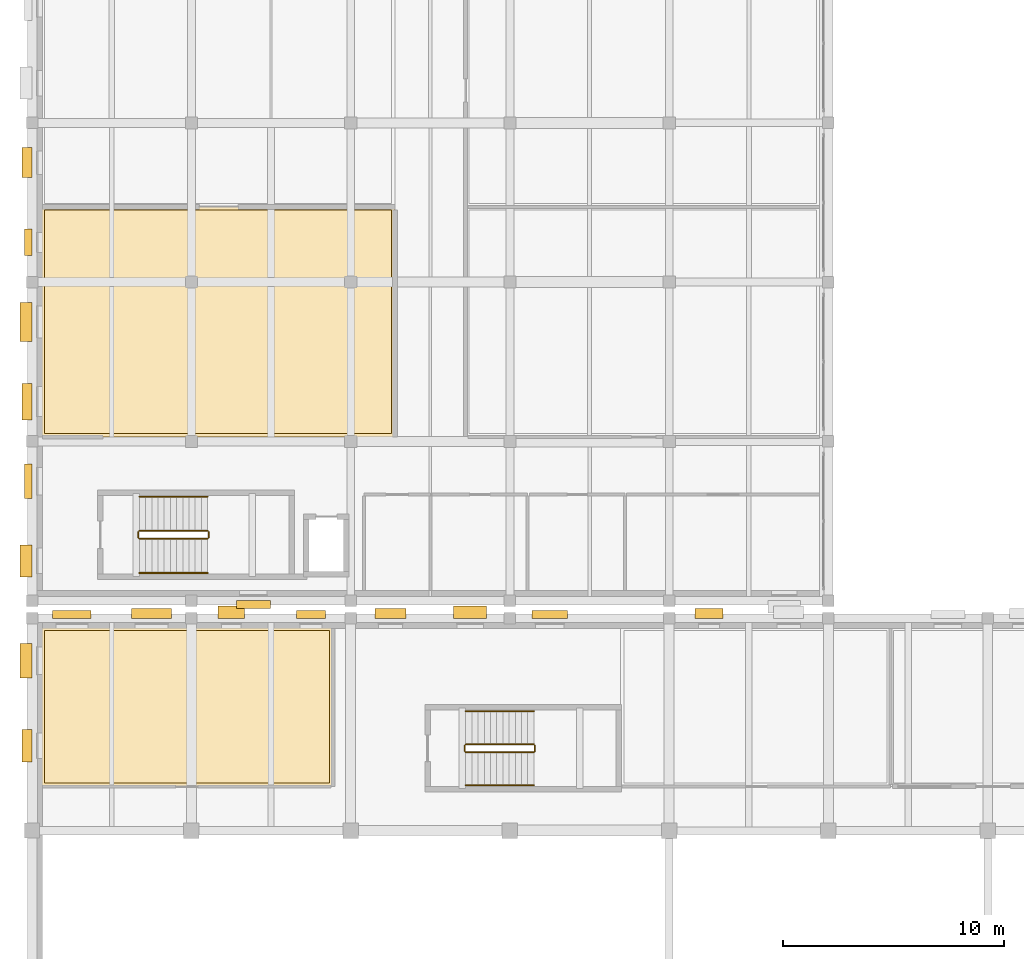
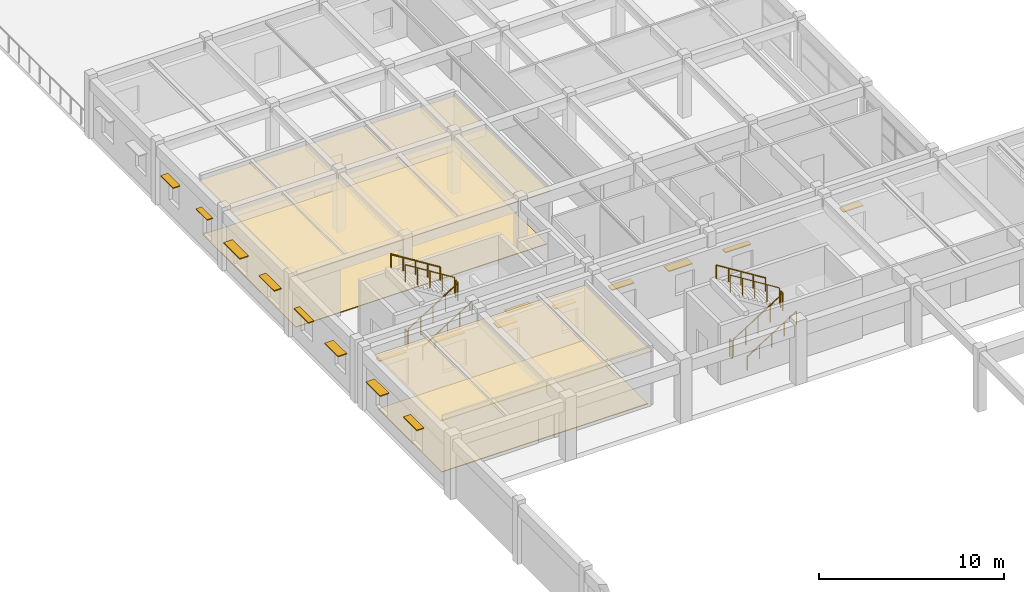
# One storey, part 59 of 67: 17 shading devices, 12 railings, 4 coverings.
"""IFC4 building model written with IfcOpenShell, lengths in metres."""

from ifc_helpers import new_model, si_unit, direction, frame, origin, origin_2d, place, context, subcontext, project, spatial, polyline, rectangle, circle, outline, extrude, material, layer, layer_set, type_object, element, save


model = new_model("IFC4")

# Units and contexts
model_context = context("Model", 3, precision=1e-05, world=origin(), true_north=direction((0.0, 1.0)))
body_context = subcontext(model_context, "Body", "Model", "MODEL_VIEW")
ifc_project = project(units=[si_unit("LENGTHUNIT", "METRE"), si_unit("AREAUNIT", "SQUARE_METRE"), si_unit("VOLUMEUNIT", "CUBIC_METRE"), si_unit("PLANEANGLEUNIT", "RADIAN"), si_unit("MASSUNIT", "GRAM", prefix="KILO")], contexts=[model_context])

# Site, building, storey
site_placement = place(None, origin())
site = spatial("IfcSite", under=ifc_project, at=site_placement, CompositionType="ELEMENT")
building_placement = place(site_placement, origin())
building = spatial("IfcBuilding", under=site, at=building_placement, Name="Bramveld Media Centre", CompositionType="ELEMENT")
storey_placement = place(building_placement, frame((0.0, 0.0, 5.39990234375)))
storey = spatial("IfcBuildingStorey", under=building, at=storey_placement, Name="L01", CompositionType="ELEMENT", Elevation=5.39990234375)

# Coverings
ifc_material_1 = material(Name="Perforated acoustic mineral-fibre & oak-slat suspended ceiling")
ifc_layer_1 = layer(ifc_material_1, 0.044921875)
ifc_layer_set_1 = layer_set([ifc_layer_1], Name="Perforated acoustic mineral-fibre & oak-slat suspended ceiling")
covering_type_1 = type_object("IfcCoveringType", Name="COV-CEIL-01", PredefinedType="CEILING", material=ifc_layer_set_1)
covering_1_placement = place(storey_placement, frame((0.0, 0.0, 3.545166015625)))
element("IfcCovering", 1, at=covering_1_placement, inside=storey, type_object=covering_type_1, Name="Cinema 3 & 4 Projection Gallery acoustic suspended ceiling", PredefinedType="CEILING", context=body_context, shape_type="SweptSolid", body=[
    extrude(outline(polyline([(0.39990234375, 46.60009765625), (16.39990234375, 46.60009765625), (16.39990234375, 57.0), (0.39990234375, 57.0), (0.39990234375, 46.60009765625)])), origin(), (0.0, 0.0, 1.0), 0.044921875),
])
ifc_material_2 = material(Name="Spring-isolated studio acoustic gypsum & mineral-wool ceiling")
ifc_layer_2 = layer(ifc_material_2, 0.06005859375)
ifc_layer_set_2 = layer_set([ifc_layer_2], Name="Spring-isolated studio acoustic gypsum & mineral-wool ceiling")
covering_type_2 = type_object("IfcCoveringType", Name="COV-CEIL-02", PredefinedType="CEILING", material=ifc_layer_set_2)
covering_2_placement = place(storey_placement, frame((0.0, 0.0, 3.510009765625)))
element("IfcCovering", 2, at=covering_2_placement, inside=storey, type_object=covering_type_2, Name="Studio 1 Production & Vision Control Room acoustic suspended ceiling", PredefinedType="CEILING", context=body_context, shape_type="SweptSolid", body=[
    extrude(outline(polyline([(0.39990234375, 30.800048828125), (13.60009765625, 30.800048828125), (13.60009765625, 38.0), (0.39990234375, 38.0), (0.39990234375, 30.800048828125)])), origin(), (0.0, 0.0, 1.0), 0.06005859375),
])
ifc_material_3 = material(Name="Honed Belgian bluestone (petit granit) public concourse flooring", Category="masonry")
ifc_layer_3 = layer(ifc_material_3, 0.050048828125)
ifc_layer_set_3 = layer_set([ifc_layer_3], Name="Honed Belgian bluestone (petit granit) public concourse flooring")
covering_type_3 = type_object("IfcCoveringType", Name="COV-FLOOR-02", PredefinedType="FLOORING", material=ifc_layer_set_3)
covering_3_placement = place(storey_placement, origin())
element("IfcCovering", 3, at=covering_3_placement, inside=storey, type_object=covering_type_3, Name="Studio 1 Production & Vision Control Room finish flooring", PredefinedType="FLOORING", context=body_context, shape_type="SweptSolid", body=[
    extrude(outline(polyline([(0.550048828125, 30.949951171875), (13.449951171875, 30.949951171875), (13.449951171875, 37.85009765625), (0.550048828125, 37.85009765625), (0.550048828125, 30.949951171875)])), origin(), (0.0, 0.0, 1.0), 0.050048828125),
])
covering_4_placement = place(storey_placement, origin())
element("IfcCovering", 4, at=covering_4_placement, inside=storey, type_object=covering_type_3, Name="Cinema 3 & 4 Projection Gallery finish flooring", PredefinedType="FLOORING", context=body_context, shape_type="SweptSolid", body=[
    extrude(outline(polyline([(0.550048828125, 46.75), (16.25, 46.75), (16.25, 56.85009765625), (0.550048828125, 56.85009765625), (0.550048828125, 46.75)])), origin(), (0.0, 0.0, 1.0), 0.050048828125),
])

# Railings
ifc_material_4 = material(Name="Painted galvanized steel stairwell guardrail", Category="steel")
railing_type_1 = type_object("IfcRailingType", Name="RAIL-STAIR-GUARD-1150", PredefinedType="GUARDRAIL", material=ifc_material_4)
railing_1_placement = place(storey_placement, frame((4.85009765625, 42.0, 0.175048828125)))
element("IfcRailing", 5, at=railing_1_placement, inside=storey, type_object=railing_type_1, Name="L01 ST-04 stair guard 1", PredefinedType="GUARDRAIL", context=body_context, shape_type="SweptSolid", body=[
    extrude(circle(Radius=0.02392578125, at=origin_2d()), frame((0.0, 0.0, 1.1259765625), z_axis=(0.847979421464, 0.0, 0.530029150871), x_axis=(0.0, 1.0, 0.0)), (0.0, 0.0, 1.0), 3.632080078125),
    extrude(circle(Radius=0.02099609375, at=origin_2d()), origin(), (0.0, 0.0, 1.0), 1.101806640625),
    extrude(circle(Radius=0.02099609375, at=origin_2d()), frame((0.77001953125, 0.0, 0.481201171875)), (0.0, 0.0, 1.0), 1.101806640625),
    extrude(circle(Radius=0.02099609375, at=origin_2d()), frame((1.5400390625, 0.0, 0.96240234375)), (0.0, 0.0, 1.0), 1.101806640625),
    extrude(circle(Radius=0.02099609375, at=origin_2d()), frame((2.309814453125, 0.0, 1.44384765625)), (0.0, 0.0, 1.0), 1.101806640625),
    extrude(circle(Radius=0.02099609375, at=origin_2d()), frame((3.079833984375, 0.0, 1.925048828125)), (0.0, 0.0, 1.0), 1.101806640625),
])
railing_2_placement = place(storey_placement, frame((7.97998046875, 42.050048828125, 2.10009765625)))
element("IfcRailing", 6, at=railing_2_placement, inside=storey, type_object=railing_type_1, Name="L01 ST-04 stair guard 2", PredefinedType="GUARDRAIL", context=body_context, shape_type="SweptSolid", body=[
    extrude(circle(Radius=0.02392578125, at=origin_2d()), frame((0.0, 0.0, 1.1259765625), z_axis=(0.0, 1.0, 0.0), x_axis=(-1.0, 0.0, 0.0)), (0.0, 0.0, 1.0), 0.25),
    extrude(circle(Radius=0.02099609375, at=origin_2d()), origin(), (0.0, 0.0, 1.0), 1.101806640625),
    extrude(circle(Radius=0.02099609375, at=origin_2d()), frame((0.0, 0.25, 0.0)), (0.0, 0.0, 1.0), 1.101806640625),
])
railing_3_placement = place(storey_placement, frame((7.929931640625, 42.35009765625, 2.275146484375)))
element("IfcRailing", 7, at=railing_3_placement, inside=storey, type_object=railing_type_1, Name="L01 ST-04 stair guard 3", PredefinedType="GUARDRAIL", context=body_context, shape_type="SweptSolid", body=[
    extrude(circle(Radius=0.02392578125, at=origin_2d()), frame((0.0, 0.0, 1.1259765625), z_axis=(-0.847979421464, 0.0, 0.530029150871), x_axis=(0.0, -1.0, 0.0)), (0.0, 0.0, 1.0), 3.632080078125),
    extrude(circle(Radius=0.02099609375, at=origin_2d()), origin(), (0.0, 0.0, 1.0), 1.101806640625),
    extrude(circle(Radius=0.02099609375, at=origin_2d()), frame((-0.77001953125, 0.0, 0.481201171875)), (0.0, 0.0, 1.0), 1.101806640625),
    extrude(circle(Radius=0.02099609375, at=origin_2d()), frame((-1.5400390625, 0.0, 0.96240234375)), (0.0, 0.0, 1.0), 1.101806640625),
    extrude(circle(Radius=0.02099609375, at=origin_2d()), frame((-2.309814453125, 0.0, 1.44384765625)), (0.0, 0.0, 1.0), 1.101806640625),
    extrude(circle(Radius=0.02099609375, at=origin_2d()), frame((-3.079833984375, 0.0, 1.925048828125)), (0.0, 0.0, 1.0), 1.101806640625),
])
railing_4_placement = place(storey_placement, frame((4.800048828125, 42.050048828125, 0.0)))
element("IfcRailing", 8, at=railing_4_placement, inside=storey, type_object=railing_type_1, Name="L01 ST-04 stair guard 4", PredefinedType="GUARDRAIL", context=body_context, shape_type="SweptSolid", body=[
    extrude(circle(Radius=0.02392578125, at=origin_2d()), frame((0.0, 0.0, 1.1259765625), z_axis=(0.0, 1.0, 0.0), x_axis=(-1.0, 0.0, 0.0)), (0.0, 0.0, 1.0), 0.25),
    extrude(circle(Radius=0.02099609375, at=origin_2d()), origin(), (0.0, 0.0, 1.0), 1.101806640625),
    extrude(circle(Radius=0.02099609375, at=origin_2d()), frame((0.0, 0.25, 0.0)), (0.0, 0.0, 1.0), 1.101806640625),
])
railing_5_placement = place(storey_placement, frame((19.60009765625, 32.35009765625, 0.175048828125)))
element("IfcRailing", 9, at=railing_5_placement, inside=storey, type_object=railing_type_1, Name="L01 ST-05 stair guard 1", PredefinedType="GUARDRAIL", context=body_context, shape_type="SweptSolid", body=[
    extrude(circle(Radius=0.02392578125, at=origin_2d()), frame((0.0, 0.0, 1.1259765625), z_axis=(0.847979421464, 0.0, 0.530029150871), x_axis=(0.0, 1.0, 0.0)), (0.0, 0.0, 1.0), 3.632080078125),
    extrude(circle(Radius=0.02099609375, at=origin_2d()), origin(), (0.0, 0.0, 1.0), 1.101806640625),
    extrude(circle(Radius=0.02099609375, at=origin_2d()), frame((0.77001953125, 0.0, 0.481201171875)), (0.0, 0.0, 1.0), 1.101806640625),
    extrude(circle(Radius=0.02099609375, at=origin_2d()), frame((1.5400390625, 0.0, 0.96240234375)), (0.0, 0.0, 1.0), 1.101806640625),
    extrude(circle(Radius=0.02099609375, at=origin_2d()), frame((2.309814453125, 0.0, 1.44384765625)), (0.0, 0.0, 1.0), 1.101806640625),
    extrude(circle(Radius=0.02099609375, at=origin_2d()), frame((3.079833984375, 0.0, 1.925048828125)), (0.0, 0.0, 1.0), 1.101806640625),
])
railing_6_placement = place(storey_placement, frame((22.72998046875, 32.39990234375, 2.10009765625)))
element("IfcRailing", 10, at=railing_6_placement, inside=storey, type_object=railing_type_1, Name="L01 ST-05 stair guard 2", PredefinedType="GUARDRAIL", context=body_context, shape_type="SweptSolid", body=[
    extrude(circle(Radius=0.02392578125, at=origin_2d()), frame((0.0, 0.0, 1.1259765625), z_axis=(0.0, 1.0, 0.0), x_axis=(-1.0, 0.0, 0.0)), (0.0, 0.0, 1.0), 0.25),
    extrude(circle(Radius=0.02099609375, at=origin_2d()), origin(), (0.0, 0.0, 1.0), 1.101806640625),
    extrude(circle(Radius=0.02099609375, at=origin_2d()), frame((0.0, 0.25, 0.0)), (0.0, 0.0, 1.0), 1.101806640625),
])
railing_7_placement = place(storey_placement, frame((22.679931640625, 32.699951171875, 2.275146484375)))
element("IfcRailing", 11, at=railing_7_placement, inside=storey, type_object=railing_type_1, Name="L01 ST-05 stair guard 3", PredefinedType="GUARDRAIL", context=body_context, shape_type="SweptSolid", body=[
    extrude(circle(Radius=0.02392578125, at=origin_2d()), frame((0.0, 0.0, 1.1259765625), z_axis=(-0.847979421464, 0.0, 0.530029150871), x_axis=(0.0, -1.0, 0.0)), (0.0, 0.0, 1.0), 3.632080078125),
    extrude(circle(Radius=0.02099609375, at=origin_2d()), origin(), (0.0, 0.0, 1.0), 1.101806640625),
    extrude(circle(Radius=0.02099609375, at=origin_2d()), frame((-0.77001953125, 0.0, 0.481201171875)), (0.0, 0.0, 1.0), 1.101806640625),
    extrude(circle(Radius=0.02099609375, at=origin_2d()), frame((-1.5400390625, 0.0, 0.96240234375)), (0.0, 0.0, 1.0), 1.101806640625),
    extrude(circle(Radius=0.02099609375, at=origin_2d()), frame((-2.309814453125, 0.0, 1.44384765625)), (0.0, 0.0, 1.0), 1.101806640625),
    extrude(circle(Radius=0.02099609375, at=origin_2d()), frame((-3.079833984375, 0.0, 1.925048828125)), (0.0, 0.0, 1.0), 1.101806640625),
])
railing_8_placement = place(storey_placement, frame((19.550048828125, 32.39990234375, 0.0)))
element("IfcRailing", 12, at=railing_8_placement, inside=storey, type_object=railing_type_1, Name="L01 ST-05 stair guard 4", PredefinedType="GUARDRAIL", context=body_context, shape_type="SweptSolid", body=[
    extrude(circle(Radius=0.02392578125, at=origin_2d()), frame((0.0, 0.0, 1.1259765625), z_axis=(0.0, 1.0, 0.0), x_axis=(-1.0, 0.0, 0.0)), (0.0, 0.0, 1.0), 0.25),
    extrude(circle(Radius=0.02099609375, at=origin_2d()), origin(), (0.0, 0.0, 1.0), 1.101806640625),
    extrude(circle(Radius=0.02099609375, at=origin_2d()), frame((0.0, 0.25, 0.0)), (0.0, 0.0, 1.0), 1.101806640625),
])
ifc_material_5 = material(Name="Brushed stainless steel tubular stair handrail", Category="steel")
railing_type_2 = type_object("IfcRailingType", Name="RAIL-STAIR-HAND-0920", PredefinedType="HANDRAIL", material=ifc_material_5)
railing_9_placement = place(storey_placement, frame((4.85009765625, 40.449951171875, 0.175048828125)))
element("IfcRailing", 13, at=railing_9_placement, inside=storey, type_object=railing_type_2, Name="L01 ST-04 stair handrail 1", PredefinedType="HANDRAIL", context=body_context, shape_type="SweptSolid", body=[
    extrude(circle(Radius=0.02392578125, at=origin_2d()), frame((0.0, 0.0, 0.8759765625), z_axis=(0.847979421464, 0.0, 0.530029150871), x_axis=(0.0, 1.0, 0.0)), (0.0, 0.0, 1.0), 3.632080078125),
    extrude(circle(Radius=0.02099609375, at=origin_2d()), origin(), (0.0, 0.0, 1.0), 0.851806640625),
    extrude(circle(Radius=0.02099609375, at=origin_2d()), frame((0.77001953125, 0.0, 0.481201171875)), (0.0, 0.0, 1.0), 0.851806640625),
    extrude(circle(Radius=0.02099609375, at=origin_2d()), frame((1.5400390625, 0.0, 0.96240234375)), (0.0, 0.0, 1.0), 0.851806640625),
    extrude(circle(Radius=0.02099609375, at=origin_2d()), frame((2.309814453125, 0.0, 1.44384765625)), (0.0, 0.0, 1.0), 0.851806640625),
    extrude(circle(Radius=0.02099609375, at=origin_2d()), frame((3.079833984375, 0.0, 1.925048828125)), (0.0, 0.0, 1.0), 0.851806640625),
])
railing_10_placement = place(storey_placement, frame((7.929931640625, 43.89990234375, 2.275146484375)))
element("IfcRailing", 14, at=railing_10_placement, inside=storey, type_object=railing_type_2, Name="L01 ST-04 stair handrail 2", PredefinedType="HANDRAIL", context=body_context, shape_type="SweptSolid", body=[
    extrude(circle(Radius=0.02392578125, at=origin_2d()), frame((0.0, 0.0, 0.8759765625), z_axis=(-0.847979421464, 0.0, 0.530029150871), x_axis=(0.0, -1.0, 0.0)), (0.0, 0.0, 1.0), 3.632080078125),
    extrude(circle(Radius=0.02099609375, at=origin_2d()), origin(), (0.0, 0.0, 1.0), 0.851806640625),
    extrude(circle(Radius=0.02099609375, at=origin_2d()), frame((-0.77001953125, 0.0, 0.481201171875)), (0.0, 0.0, 1.0), 0.851806640625),
    extrude(circle(Radius=0.02099609375, at=origin_2d()), frame((-1.5400390625, 0.0, 0.96240234375)), (0.0, 0.0, 1.0), 0.851806640625),
    extrude(circle(Radius=0.02099609375, at=origin_2d()), frame((-2.309814453125, 0.0, 1.44384765625)), (0.0, 0.0, 1.0), 0.851806640625),
    extrude(circle(Radius=0.02099609375, at=origin_2d()), frame((-3.079833984375, 0.0, 1.925048828125)), (0.0, 0.0, 1.0), 0.851806640625),
])
railing_11_placement = place(storey_placement, frame((19.60009765625, 30.85009765625, 0.175048828125)))
element("IfcRailing", 15, at=railing_11_placement, inside=storey, type_object=railing_type_2, Name="L01 ST-05 stair handrail 1", PredefinedType="HANDRAIL", context=body_context, shape_type="SweptSolid", body=[
    extrude(circle(Radius=0.02392578125, at=origin_2d()), frame((0.0, 0.0, 0.8759765625), z_axis=(0.847979421464, 0.0, 0.530029150871), x_axis=(0.0, 1.0, 0.0)), (0.0, 0.0, 1.0), 3.632080078125),
    extrude(circle(Radius=0.02099609375, at=origin_2d()), origin(), (0.0, 0.0, 1.0), 0.851806640625),
    extrude(circle(Radius=0.02099609375, at=origin_2d()), frame((0.77001953125, 0.0, 0.481201171875)), (0.0, 0.0, 1.0), 0.851806640625),
    extrude(circle(Radius=0.02099609375, at=origin_2d()), frame((1.5400390625, 0.0, 0.96240234375)), (0.0, 0.0, 1.0), 0.851806640625),
    extrude(circle(Radius=0.02099609375, at=origin_2d()), frame((2.309814453125, 0.0, 1.44384765625)), (0.0, 0.0, 1.0), 0.851806640625),
    extrude(circle(Radius=0.02099609375, at=origin_2d()), frame((3.079833984375, 0.0, 1.925048828125)), (0.0, 0.0, 1.0), 0.851806640625),
])
railing_12_placement = place(storey_placement, frame((22.679931640625, 34.199951171875, 2.275146484375)))
element("IfcRailing", 16, at=railing_12_placement, inside=storey, type_object=railing_type_2, Name="L01 ST-05 stair handrail 2", PredefinedType="HANDRAIL", context=body_context, shape_type="SweptSolid", body=[
    extrude(circle(Radius=0.02392578125, at=origin_2d()), frame((0.0, 0.0, 0.8759765625), z_axis=(-0.847979421464, 0.0, 0.530029150871), x_axis=(0.0, -1.0, 0.0)), (0.0, 0.0, 1.0), 3.632080078125),
    extrude(circle(Radius=0.02099609375, at=origin_2d()), origin(), (0.0, 0.0, 1.0), 0.851806640625),
    extrude(circle(Radius=0.02099609375, at=origin_2d()), frame((-0.77001953125, 0.0, 0.481201171875)), (0.0, 0.0, 1.0), 0.851806640625),
    extrude(circle(Radius=0.02099609375, at=origin_2d()), frame((-1.5400390625, 0.0, 0.96240234375)), (0.0, 0.0, 1.0), 0.851806640625),
    extrude(circle(Radius=0.02099609375, at=origin_2d()), frame((-2.309814453125, 0.0, 1.44384765625)), (0.0, 0.0, 1.0), 0.851806640625),
    extrude(circle(Radius=0.02099609375, at=origin_2d()), frame((-3.079833984375, 0.0, 1.925048828125)), (0.0, 0.0, 1.0), 0.851806640625),
])

# Shading devices
ifc_material_6 = material(Name="Anodized bronze extruded aluminium solar shading fin", Category="aluminium")
shading_device_type_1 = type_object("IfcShadingDeviceType", Name="SHD-BRISE-350", PredefinedType="JALOUSIE", material=ifc_material_6)
shading_device_1_placement = place(storey_placement, frame((1.800048828125, 38.574951171875, 2.66015625), z_axis=(0.0, 0.0, 1.0), x_axis=(1.0, 0.0, 0.0)))
element("IfcShadingDevice", 17, at=shading_device_1_placement, inside=storey, type_object=shading_device_type_1, Name="Bronze solar shading fin 66", PredefinedType="JALOUSIE", context=body_context, shape_type="SweptSolid", body=[
    extrude(rectangle(XDim=1.739990234375, YDim=0.35009765625, at=origin_2d()), origin(), (0.0, 0.0, 1.0), 0.06005859375),
])
shading_device_2_placement = place(storey_placement, frame((12.60009765625, 38.574951171875, 2.260009765625), z_axis=(0.0, 0.0, 1.0), x_axis=(1.0, 0.0, 0.0)))
element("IfcShadingDevice", 18, at=shading_device_2_placement, inside=storey, type_object=shading_device_type_1, Name="Bronze solar shading fin 69", PredefinedType="JALOUSIE", context=body_context, shape_type="SweptSolid", body=[
    extrude(rectangle(XDim=1.300048828125, YDim=0.35009765625, at=origin_2d()), origin(), (0.0, 0.0, 1.0), 0.06005859375),
])
shading_device_3_placement = place(storey_placement, frame((23.39990234375, 38.574951171875, 2.260009765625), z_axis=(0.0, 0.0, 1.0), x_axis=(1.0, 0.0, 0.0)))
element("IfcShadingDevice", 19, at=shading_device_3_placement, inside=storey, type_object=shading_device_type_1, Name="Bronze solar shading fin 72", PredefinedType="JALOUSIE", context=body_context, shape_type="SweptSolid", body=[
    extrude(rectangle(XDim=1.60009765625, YDim=0.35009765625, at=origin_2d()), origin(), (0.0, 0.0, 1.0), 0.06005859375),
])
shading_device_4_placement = place(storey_placement, frame((10.0, 39.02490234375, 2.66015625), z_axis=(0.0, 0.0, 1.0), x_axis=(1.0, 0.0, 0.0)))
element("IfcShadingDevice", 20, at=shading_device_4_placement, inside=storey, type_object=shading_device_type_1, Name="Bronze solar shading fin 111", PredefinedType="JALOUSIE", context=body_context, shape_type="SweptSolid", body=[
    extrude(rectangle(XDim=1.5400390625, YDim=0.35009765625, at=origin_2d()), origin(), (0.0, 0.0, 1.0), 0.06005859375),
])
shading_device_5_placement = place(storey_placement, frame((-0.175048828125, 44.60009765625, 2.360107421875), z_axis=(0.0, 0.0, 1.0), x_axis=(1.0, 0.0, 0.0)))
element("IfcShadingDevice", 21, at=shading_device_5_placement, inside=storey, type_object=shading_device_type_1, Name="Bronze solar shading fin 117", PredefinedType="JALOUSIE", context=body_context, shape_type="SweptSolid", body=[
    extrude(rectangle(XDim=0.35009765625, YDim=1.550048828125, at=origin_2d()), origin(), (0.0, 0.0, 1.0), 0.06005859375),
])
shading_device_6_placement = place(storey_placement, frame((-0.175048828125, 55.39990234375, 2.510009765625), z_axis=(0.0, 0.0, 1.0), x_axis=(1.0, 0.0, 0.0)))
element("IfcShadingDevice", 22, at=shading_device_6_placement, inside=storey, type_object=shading_device_type_1, Name="Bronze solar shading fin 120", PredefinedType="JALOUSIE", context=body_context, shape_type="SweptSolid", body=[
    extrude(rectangle(XDim=0.35009765625, YDim=1.199951171875, at=origin_2d()), origin(), (0.0, 0.0, 1.0), 0.06005859375),
])
ifc_material_7 = material(Name="Anodized bronze extruded aluminium solar shading fin", Category="aluminium")
shading_device_type_2 = type_object("IfcShadingDeviceType", Name="SHD-BRISE-450", PredefinedType="JALOUSIE", material=ifc_material_7)
shading_device_7_placement = place(storey_placement, frame((5.39990234375, 38.625, 2.66015625), z_axis=(0.0, 0.0, 1.0), x_axis=(1.0, 0.0, 0.0)))
element("IfcShadingDevice", 23, at=shading_device_7_placement, inside=storey, type_object=shading_device_type_2, Name="Bronze solar shading fin 67", PredefinedType="JALOUSIE", context=body_context, shape_type="SweptSolid", body=[
    extrude(rectangle(XDim=1.800048828125, YDim=0.449951171875, at=origin_2d()), origin(), (0.0, 0.0, 1.0), 0.06005859375),
])
shading_device_8_placement = place(storey_placement, frame((16.199951171875, 38.625, 2.260009765625), z_axis=(0.0, 0.0, 1.0), x_axis=(1.0, 0.0, 0.0)))
element("IfcShadingDevice", 24, at=shading_device_8_placement, inside=storey, type_object=shading_device_type_2, Name="Bronze solar shading fin 70", PredefinedType="JALOUSIE", context=body_context, shape_type="SweptSolid", body=[
    extrude(rectangle(XDim=1.39990234375, YDim=0.449951171875, at=origin_2d()), origin(), (0.0, 0.0, 1.0), 0.06005859375),
])
shading_device_9_placement = place(storey_placement, frame((30.60009765625, 38.625, 2.360107421875), z_axis=(0.0, 0.0, 1.0), x_axis=(1.0, 0.0, 0.0)))
element("IfcShadingDevice", 25, at=shading_device_9_placement, inside=storey, type_object=shading_device_type_2, Name="Bronze solar shading fin 73", PredefinedType="JALOUSIE", context=body_context, shape_type="SweptSolid", body=[
    extrude(rectangle(XDim=1.25, YDim=0.449951171875, at=origin_2d()), origin(), (0.0, 0.0, 1.0), 0.06005859375),
])
shading_device_10_placement = place(storey_placement, frame((-0.22509765625, 32.639892578125, 2.510009765625), z_axis=(0.0, 0.0, 1.0), x_axis=(1.0, 0.0, 0.0)))
element("IfcShadingDevice", 26, at=shading_device_10_placement, inside=storey, type_object=shading_device_type_2, Name="Bronze solar shading fin 79", PredefinedType="JALOUSIE", context=body_context, shape_type="SweptSolid", body=[
    extrude(rectangle(XDim=0.449951171875, YDim=1.449951171875, at=origin_2d()), origin(), (0.0, 0.0, 1.0), 0.06005859375),
])
shading_device_11_placement = place(storey_placement, frame((-0.22509765625, 48.199951171875, 2.360107421875), z_axis=(0.0, 0.0, 1.0), x_axis=(1.0, 0.0, 0.0)))
element("IfcShadingDevice", 27, at=shading_device_11_placement, inside=storey, type_object=shading_device_type_2, Name="Bronze solar shading fin 118", PredefinedType="JALOUSIE", context=body_context, shape_type="SweptSolid", body=[
    extrude(rectangle(XDim=0.449951171875, YDim=1.64990234375, at=origin_2d()), origin(), (0.0, 0.0, 1.0), 0.06005859375),
])
shading_device_12_placement = place(storey_placement, frame((-0.22509765625, 59.0, 2.510009765625), z_axis=(0.0, 0.0, 1.0), x_axis=(1.0, 0.0, 0.0)))
element("IfcShadingDevice", 28, at=shading_device_12_placement, inside=storey, type_object=shading_device_type_2, Name="Bronze solar shading fin 121", PredefinedType="JALOUSIE", context=body_context, shape_type="SweptSolid", body=[
    extrude(rectangle(XDim=0.449951171875, YDim=1.35009765625, at=origin_2d()), origin(), (0.0, 0.0, 1.0), 0.06005859375),
])
ifc_material_8 = material(Name="Anodized bronze extruded aluminium solar shading fin", Category="aluminium")
shading_device_type_3 = type_object("IfcShadingDeviceType", Name="SHD-BRISE-550", PredefinedType="JALOUSIE", material=ifc_material_8)
shading_device_13_placement = place(storey_placement, frame((9.0, 38.675048828125, 2.260009765625), z_axis=(0.0, 0.0, 1.0), x_axis=(1.0, 0.0, 0.0)))
element("IfcShadingDevice", 29, at=shading_device_13_placement, inside=storey, type_object=shading_device_type_3, Name="Bronze solar shading fin 68", PredefinedType="JALOUSIE", context=body_context, shape_type="SweptSolid", body=[
    extrude(rectangle(XDim=1.199951171875, YDim=0.550048828125, at=origin_2d()), origin(), (0.0, 0.0, 1.0), 0.06005859375),
])
shading_device_14_placement = place(storey_placement, frame((19.800048828125, 38.675048828125, 2.260009765625), z_axis=(0.0, 0.0, 1.0), x_axis=(1.0, 0.0, 0.0)))
element("IfcShadingDevice", 30, at=shading_device_14_placement, inside=storey, type_object=shading_device_type_3, Name="Bronze solar shading fin 71", PredefinedType="JALOUSIE", context=body_context, shape_type="SweptSolid", body=[
    extrude(rectangle(XDim=1.5, YDim=0.550048828125, at=origin_2d()), origin(), (0.0, 0.0, 1.0), 0.06005859375),
])
shading_device_15_placement = place(storey_placement, frame((-0.27490234375, 36.47998046875, 2.510009765625), z_axis=(0.0, 0.0, 1.0), x_axis=(1.0, 0.0, 0.0)))
element("IfcShadingDevice", 31, at=shading_device_15_placement, inside=storey, type_object=shading_device_type_3, Name="Bronze solar shading fin 80", PredefinedType="JALOUSIE", context=body_context, shape_type="SweptSolid", body=[
    extrude(rectangle(XDim=0.550048828125, YDim=1.550048828125, at=origin_2d()), origin(), (0.0, 0.0, 1.0), 0.06005859375),
])
shading_device_16_placement = place(storey_placement, frame((-0.27490234375, 41.0, 2.360107421875), z_axis=(0.0, 0.0, 1.0), x_axis=(1.0, 0.0, 0.0)))
element("IfcShadingDevice", 32, at=shading_device_16_placement, inside=storey, type_object=shading_device_type_3, Name="Bronze solar shading fin 116", PredefinedType="JALOUSIE", context=body_context, shape_type="SweptSolid", body=[
    extrude(rectangle(XDim=0.550048828125, YDim=1.449951171875, at=origin_2d()), origin(), (0.0, 0.0, 1.0), 0.06005859375),
])
shading_device_17_placement = place(storey_placement, frame((-0.27490234375, 51.800048828125, 2.360107421875), z_axis=(0.0, 0.0, 1.0), x_axis=(1.0, 0.0, 0.0)))
element("IfcShadingDevice", 33, at=shading_device_17_placement, inside=storey, type_object=shading_device_type_3, Name="Bronze solar shading fin 119", PredefinedType="JALOUSIE", context=body_context, shape_type="SweptSolid", body=[
    extrude(rectangle(XDim=0.550048828125, YDim=1.75, at=origin_2d()), origin(), (0.0, 0.0, 1.0), 0.06005859375),
])

save(model, "model.ifc")
